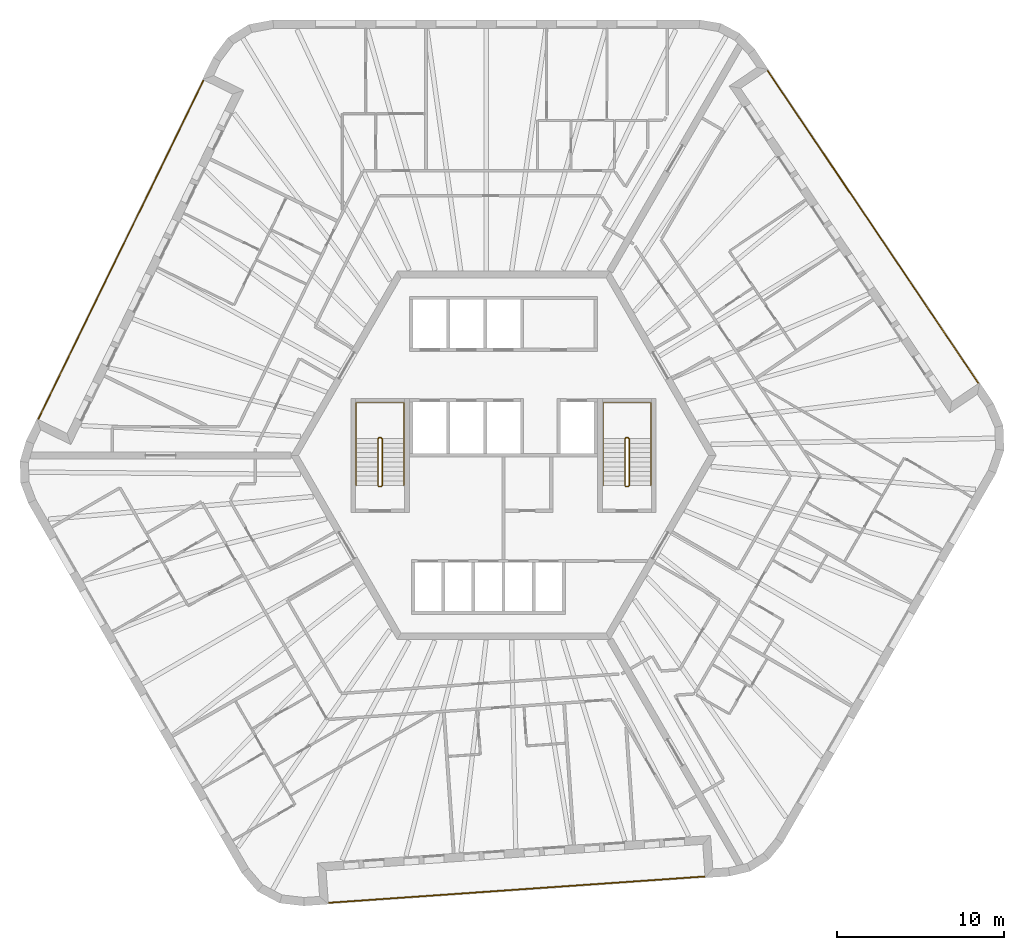
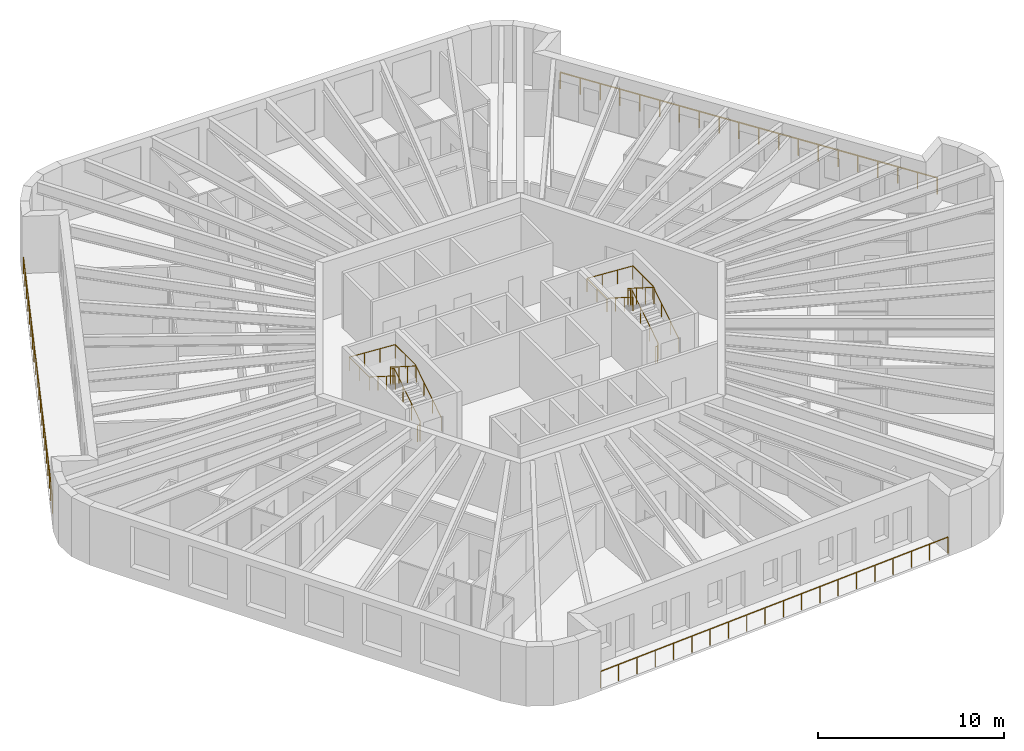
# One storey, part 12 of 12: 7 railings.
"""IFC4 building model written with IfcOpenShell, lengths in metres."""

from ifc_helpers import new_model, si_unit, direction, frame, origin, origin_2d, place, context, subcontext, project, spatial, circle, extrude, material, type_object, element, save


model = new_model("IFC4")

# Units and contexts
model_context = context("Model", 3, precision=1e-05, world=origin(), true_north=direction((0.0, 1.0)))
body_context = subcontext(model_context, "Body", "Model", "MODEL_VIEW")
ifc_project = project(units=[si_unit("LENGTHUNIT", "METRE"), si_unit("AREAUNIT", "SQUARE_METRE"), si_unit("VOLUMEUNIT", "CUBIC_METRE"), si_unit("PLANEANGLEUNIT", "RADIAN"), si_unit("MASSUNIT", "GRAM", prefix="KILO")], contexts=[model_context])

# Site, building, storey
site_placement = place(None, origin())
site = spatial("IfcSite", under=ifc_project, at=site_placement, CompositionType="ELEMENT")
building_placement = place(site_placement, origin())
building = spatial("IfcBuilding", under=site, at=building_placement, Name="Tarnside Tower", CompositionType="ELEMENT")
storey_placement = place(building_placement, frame((0.0, 0.0, 275.699951171875)))
storey = spatial("IfcBuildingStorey", under=building, at=storey_placement, Name="L66", CompositionType="ELEMENT", Elevation=275.699951171875)

# Railings
ifc_material_1 = material(Name="Toughened glass", Category="glass")
railing_type_1 = type_object("IfcRailingType", Name="Glass guard 1100", PredefinedType="GUARDRAIL", material=ifc_material_1)
railing_1_placement = place(storey_placement, frame((-17.906005859375, 22.415283203125, 0.0)))
element("IfcRailing", 1, at=railing_1_placement, inside=storey, type_object=railing_type_1, Name="Loggia guard L66 F2", PredefinedType="GUARDRAIL", context=body_context, shape_type="SweptSolid", body=[
    extrude(circle(Radius=0.030029296875, at=origin_2d()), frame((0.0, 0.0, 1.070068359375), z_axis=(-0.438372639335, -0.898793318335, 0.0), x_axis=(0.898793318335, -0.438372639335, 0.0)), (0.0, 0.0, 1.0), 22.544921875),
    extrude(circle(Radius=0.02490234375, at=origin_2d()), origin(), (0.0, 0.0, 1.0), 1.0400390625),
    extrude(circle(Radius=0.02490234375, at=origin_2d()), frame((-0.520263671875, -1.06640625, 0.0)), (0.0, 0.0, 1.0), 1.0400390625),
    extrude(circle(Radius=0.02490234375, at=origin_2d()), frame((-1.040283203125, -2.133056640625, 0.0)), (0.0, 0.0, 1.0), 1.0400390625),
    extrude(circle(Radius=0.02490234375, at=origin_2d()), frame((-1.560546875, -3.199462890625, 0.0)), (0.0, 0.0, 1.0), 1.0400390625),
    extrude(circle(Radius=0.02490234375, at=origin_2d()), frame((-2.08056640625, -4.265869140625, 0.0)), (0.0, 0.0, 1.0), 1.0400390625),
    extrude(circle(Radius=0.02490234375, at=origin_2d()), frame((-2.600830078125, -5.33251953125, 0.0)), (0.0, 0.0, 1.0), 1.0400390625),
    extrude(circle(Radius=0.02490234375, at=origin_2d()), frame((-3.120849609375, -6.39892578125, 0.0)), (0.0, 0.0, 1.0), 1.0400390625),
    extrude(circle(Radius=0.02490234375, at=origin_2d()), frame((-3.64111328125, -7.46533203125, 0.0)), (0.0, 0.0, 1.0), 1.0400390625),
    extrude(circle(Radius=0.02490234375, at=origin_2d()), frame((-4.161376953125, -8.531982421875, 0.0)), (0.0, 0.0, 1.0), 1.0400390625),
    extrude(circle(Radius=0.02490234375, at=origin_2d()), frame((-4.681396484375, -9.598388671875, 0.0)), (0.0, 0.0, 1.0), 1.0400390625),
    extrude(circle(Radius=0.02490234375, at=origin_2d()), frame((-5.20166015625, -10.664794921875, 0.0)), (0.0, 0.0, 1.0), 1.0400390625),
    extrude(circle(Radius=0.02490234375, at=origin_2d()), frame((-5.7216796875, -11.731201171875, 0.0)), (0.0, 0.0, 1.0), 1.0400390625),
    extrude(circle(Radius=0.02490234375, at=origin_2d()), frame((-6.241943359375, -12.7978515625, 0.0)), (0.0, 0.0, 1.0), 1.0400390625),
    extrude(circle(Radius=0.02490234375, at=origin_2d()), frame((-6.76220703125, -13.8642578125, 0.0)), (0.0, 0.0, 1.0), 1.0400390625),
    extrude(circle(Radius=0.02490234375, at=origin_2d()), frame((-7.2822265625, -14.9306640625, 0.0)), (0.0, 0.0, 1.0), 1.0400390625),
    extrude(circle(Radius=0.02490234375, at=origin_2d()), frame((-7.802490234375, -15.997314453125, 0.0)), (0.0, 0.0, 1.0), 1.0400390625),
    extrude(circle(Radius=0.02490234375, at=origin_2d()), frame((-8.322509765625, -17.063720703125, 0.0)), (0.0, 0.0, 1.0), 1.0400390625),
    extrude(circle(Radius=0.02490234375, at=origin_2d()), frame((-8.8427734375, -18.130126953125, 0.0)), (0.0, 0.0, 1.0), 1.0400390625),
    extrude(circle(Radius=0.02490234375, at=origin_2d()), frame((-9.36279296875, -19.19677734375, 0.0)), (0.0, 0.0, 1.0), 1.0400390625),
    extrude(circle(Radius=0.02490234375, at=origin_2d()), frame((-9.883056640625, -20.26318359375, 0.0)), (0.0, 0.0, 1.0), 1.0400390625),
])
railing_2_placement = place(storey_placement, frame((-10.458984375, -26.714599609375, 0.0)))
element("IfcRailing", 2, at=railing_2_placement, inside=storey, type_object=railing_type_1, Name="Loggia guard L66 F4", PredefinedType="GUARDRAIL", context=body_context, shape_type="SweptSolid", body=[
    extrude(circle(Radius=0.030029296875, at=origin_2d()), frame((0.0, 0.0, 1.070068359375), z_axis=(0.997564440639, 0.069750890837, 0.0), x_axis=(-0.069750890837, 0.997564440639, 0.0)), (0.0, 0.0, 1.0), 22.544677734375),
    extrude(circle(Radius=0.02490234375, at=origin_2d()), origin(), (0.0, 0.0, 1.0), 1.0400390625),
    extrude(circle(Radius=0.02490234375, at=origin_2d()), frame((1.18359375, 0.082763671875, 0.0)), (0.0, 0.0, 1.0), 1.0400390625),
    extrude(circle(Radius=0.02490234375, at=origin_2d()), frame((2.367431640625, 0.16552734375, 0.0)), (0.0, 0.0, 1.0), 1.0400390625),
    extrude(circle(Radius=0.02490234375, at=origin_2d()), frame((3.551025390625, 0.248291015625, 0.0)), (0.0, 0.0, 1.0), 1.0400390625),
    extrude(circle(Radius=0.02490234375, at=origin_2d()), frame((4.734619140625, 0.3310546875, 0.0)), (0.0, 0.0, 1.0), 1.0400390625),
    extrude(circle(Radius=0.02490234375, at=origin_2d()), frame((5.91845703125, 0.413818359375, 0.0)), (0.0, 0.0, 1.0), 1.0400390625),
    extrude(circle(Radius=0.02490234375, at=origin_2d()), frame((7.10205078125, 0.49658203125, 0.0)), (0.0, 0.0, 1.0), 1.0400390625),
    extrude(circle(Radius=0.02490234375, at=origin_2d()), frame((8.28564453125, 0.579345703125, 0.0)), (0.0, 0.0, 1.0), 1.0400390625),
    extrude(circle(Radius=0.02490234375, at=origin_2d()), frame((9.469482421875, 0.662109375, 0.0)), (0.0, 0.0, 1.0), 1.0400390625),
    extrude(circle(Radius=0.02490234375, at=origin_2d()), frame((10.653076171875, 0.744873046875, 0.0)), (0.0, 0.0, 1.0), 1.0400390625),
    extrude(circle(Radius=0.02490234375, at=origin_2d()), frame((11.836669921875, 0.82763671875, 0.0)), (0.0, 0.0, 1.0), 1.0400390625),
    extrude(circle(Radius=0.02490234375, at=origin_2d()), frame((13.020263671875, 0.910400390625, 0.0)), (0.0, 0.0, 1.0), 1.0400390625),
    extrude(circle(Radius=0.02490234375, at=origin_2d()), frame((14.2041015625, 0.9931640625, 0.0)), (0.0, 0.0, 1.0), 1.0400390625),
    extrude(circle(Radius=0.02490234375, at=origin_2d()), frame((15.3876953125, 1.075927734375, 0.0)), (0.0, 0.0, 1.0), 1.0400390625),
    extrude(circle(Radius=0.02490234375, at=origin_2d()), frame((16.5712890625, 1.15869140625, 0.0)), (0.0, 0.0, 1.0), 1.0400390625),
    extrude(circle(Radius=0.02490234375, at=origin_2d()), frame((17.755126953125, 1.241455078125, 0.0)), (0.0, 0.0, 1.0), 1.0400390625),
    extrude(circle(Radius=0.02490234375, at=origin_2d()), frame((18.938720703125, 1.32421875, 0.0)), (0.0, 0.0, 1.0), 1.0400390625),
    extrude(circle(Radius=0.02490234375, at=origin_2d()), frame((20.122314453125, 1.406982421875, 0.0)), (0.0, 0.0, 1.0), 1.0400390625),
    extrude(circle(Radius=0.02490234375, at=origin_2d()), frame((21.30615234375, 1.48974609375, 0.0)), (0.0, 0.0, 1.0), 1.0400390625),
    extrude(circle(Radius=0.02490234375, at=origin_2d()), frame((22.48974609375, 1.572509765625, 0.0)), (0.0, 0.0, 1.0), 1.0400390625),
])
railing_3_placement = place(storey_placement, frame((28.365234375, 4.299560546875, 0.0)))
element("IfcRailing", 3, at=railing_3_placement, inside=storey, type_object=railing_type_1, Name="Loggia guard L66 F6", PredefinedType="GUARDRAIL", context=body_context, shape_type="SweptSolid", body=[
    extrude(circle(Radius=0.030029296875, at=origin_2d()), frame((0.0, 0.0, 1.070068359375), z_axis=(-0.559195329741, 0.82903593601, 0.0), x_axis=(-0.82903593601, -0.559195329741, 0.0)), (0.0, 0.0, 1.0), 22.544677734375),
    extrude(circle(Radius=0.02490234375, at=origin_2d()), origin(), (0.0, 0.0, 1.0), 1.0400390625),
    extrude(circle(Radius=0.02490234375, at=origin_2d()), frame((-0.66357421875, 0.983642578125, 0.0)), (0.0, 0.0, 1.0), 1.0400390625),
    extrude(circle(Radius=0.02490234375, at=origin_2d()), frame((-1.3271484375, 1.967529296875, 0.0)), (0.0, 0.0, 1.0), 1.0400390625),
    extrude(circle(Radius=0.02490234375, at=origin_2d()), frame((-1.990478515625, 2.951171875, 0.0)), (0.0, 0.0, 1.0), 1.0400390625),
    extrude(circle(Radius=0.02490234375, at=origin_2d()), frame((-2.654052734375, 3.934814453125, 0.0)), (0.0, 0.0, 1.0), 1.0400390625),
    extrude(circle(Radius=0.02490234375, at=origin_2d()), frame((-3.317626953125, 4.91845703125, 0.0)), (0.0, 0.0, 1.0), 1.0400390625),
    extrude(circle(Radius=0.02490234375, at=origin_2d()), frame((-3.981201171875, 5.90234375, 0.0)), (0.0, 0.0, 1.0), 1.0400390625),
    extrude(circle(Radius=0.02490234375, at=origin_2d()), frame((-4.644775390625, 6.885986328125, 0.0)), (0.0, 0.0, 1.0), 1.0400390625),
    extrude(circle(Radius=0.02490234375, at=origin_2d()), frame((-5.30810546875, 7.86962890625, 0.0)), (0.0, 0.0, 1.0), 1.0400390625),
    extrude(circle(Radius=0.02490234375, at=origin_2d()), frame((-5.9716796875, 8.853271484375, 0.0)), (0.0, 0.0, 1.0), 1.0400390625),
    extrude(circle(Radius=0.02490234375, at=origin_2d()), frame((-6.63525390625, 9.837158203125, 0.0)), (0.0, 0.0, 1.0), 1.0400390625),
    extrude(circle(Radius=0.02490234375, at=origin_2d()), frame((-7.298828125, 10.82080078125, 0.0)), (0.0, 0.0, 1.0), 1.0400390625),
    extrude(circle(Radius=0.02490234375, at=origin_2d()), frame((-7.962158203125, 11.804443359375, 0.0)), (0.0, 0.0, 1.0), 1.0400390625),
    extrude(circle(Radius=0.02490234375, at=origin_2d()), frame((-8.625732421875, 12.7880859375, 0.0)), (0.0, 0.0, 1.0), 1.0400390625),
    extrude(circle(Radius=0.02490234375, at=origin_2d()), frame((-9.289306640625, 13.77197265625, 0.0)), (0.0, 0.0, 1.0), 1.0400390625),
    extrude(circle(Radius=0.02490234375, at=origin_2d()), frame((-9.952880859375, 14.755615234375, 0.0)), (0.0, 0.0, 1.0), 1.0400390625),
    extrude(circle(Radius=0.02490234375, at=origin_2d()), frame((-10.616455078125, 15.7392578125, 0.0)), (0.0, 0.0, 1.0), 1.0400390625),
    extrude(circle(Radius=0.02490234375, at=origin_2d()), frame((-11.27978515625, 16.722900390625, 0.0)), (0.0, 0.0, 1.0), 1.0400390625),
    extrude(circle(Radius=0.02490234375, at=origin_2d()), frame((-11.943359375, 17.706787109375, 0.0)), (0.0, 0.0, 1.0), 1.0400390625),
    extrude(circle(Radius=0.02490234375, at=origin_2d()), frame((-12.60693359375, 18.6904296875, 0.0)), (0.0, 0.0, 1.0), 1.0400390625),
])
ifc_material_2 = material(Name="Stainless steel", Category="steel")
railing_type_2 = type_object("IfcRailingType", Name="Stair guard 1100", PredefinedType="GUARDRAIL", material=ifc_material_2)
railing_4_placement = place(storey_placement, frame((7.300048828125, -1.85009765625, 0.0)))
element("IfcRailing", 4, at=railing_4_placement, inside=storey, type_object=railing_type_2, Name="L66 ST1 stair guard 1", PredefinedType="GUARDRAIL", context=body_context, shape_type="SweptSolid", body=[
    extrude(circle(Radius=0.02392578125, at=origin_2d()), frame((0.0, 0.0, 1.076171875), z_axis=(1.0, 0.0, 0.0), x_axis=(0.0, 1.0, 0.0)), (0.0, 0.0, 1.0), 0.14990234375),
    extrude(circle(Radius=0.02392578125, at=origin_2d()), frame((0.14990234375, 0.0, 1.076171875), z_axis=(0.262233686654, 0.262233686654, 0.928691007369), x_axis=(-0.707106781187, 0.707106781187, 0.0)), (0.0, 0.0, 1.0), 0.19091796875),
    extrude(circle(Radius=0.02392578125, at=origin_2d()), frame((0.199951171875, 0.050048828125, 1.25341796875), z_axis=(0.0, 0.844908973607, 0.534910110503), x_axis=(-1.0, 0.0, 0.0)), (0.0, 0.0, 1.0), 3.31396484375),
    extrude(circle(Radius=0.02392578125, at=origin_2d()), frame((0.199951171875, 2.85009765625, 3.02587890625), z_axis=(-0.707106781187, 0.707106781187, 0.0), x_axis=(-0.707106781187, -0.707106781187, 0.0)), (0.0, 0.0, 1.0), 0.07080078125),
    extrude(circle(Radius=0.02392578125, at=origin_2d()), frame((0.14990234375, 2.900146484375, 3.02587890625), z_axis=(-1.0, 0.0, 0.0), x_axis=(0.0, -1.0, 0.0)), (0.0, 0.0, 1.0), 0.14990234375),
    extrude(circle(Radius=0.02392578125, at=origin_2d()), frame((0.0, 2.900146484375, 3.02587890625), z_axis=(-0.261922500866, -0.261922500866, 0.928866625022), x_axis=(0.707106781187, -0.707106781187, 0.0)), (0.0, 0.0, 1.0), 0.191162109375),
    extrude(circle(Radius=0.02392578125, at=origin_2d()), frame((-0.050048828125, 2.85009765625, 3.20361328125), z_axis=(0.0, -0.844908973607, 0.534910110503), x_axis=(1.0, 0.0, 0.0)), (0.0, 0.0, 1.0), 3.31396484375),
    extrude(circle(Radius=0.02099609375, at=origin_2d()), origin(), (0.0, 0.0, 1.0), 1.052001953125),
    extrude(circle(Radius=0.02099609375, at=origin_2d()), frame((0.14990234375, 0.0, 0.0)), (0.0, 0.0, 1.0), 1.052001953125),
    extrude(circle(Radius=0.02099609375, at=origin_2d()), frame((0.199951171875, 0.050048828125, 0.17724609375)), (0.0, 0.0, 1.0), 1.052001953125),
    extrude(circle(Radius=0.02099609375, at=origin_2d()), frame((0.199951171875, 0.9833984375, 0.76806640625)), (0.0, 0.0, 1.0), 1.052001953125),
    extrude(circle(Radius=0.02099609375, at=origin_2d()), frame((0.199951171875, 1.916748046875, 1.359130859375)), (0.0, 0.0, 1.0), 1.052001953125),
    extrude(circle(Radius=0.02099609375, at=origin_2d()), frame((0.199951171875, 2.85009765625, 1.949951171875)), (0.0, 0.0, 1.0), 1.052001953125),
    extrude(circle(Radius=0.02099609375, at=origin_2d()), frame((0.14990234375, 2.900146484375, 1.949951171875)), (0.0, 0.0, 1.0), 1.052001953125),
    extrude(circle(Radius=0.02099609375, at=origin_2d()), frame((0.0, 2.900146484375, 1.949951171875)), (0.0, 0.0, 1.0), 1.052001953125),
    extrude(circle(Radius=0.02099609375, at=origin_2d()), frame((-0.050048828125, 2.85009765625, 2.12744140625)), (0.0, 0.0, 1.0), 1.052001953125),
    extrude(circle(Radius=0.02099609375, at=origin_2d()), frame((-0.050048828125, 1.916748046875, 2.71826171875)), (0.0, 0.0, 1.0), 1.052001953125),
    extrude(circle(Radius=0.02099609375, at=origin_2d()), frame((-0.050048828125, 0.9833984375, 3.309326171875)), (0.0, 0.0, 1.0), 1.052001953125),
    extrude(circle(Radius=0.02099609375, at=origin_2d()), frame((-0.050048828125, 0.050048828125, 3.900146484375)), (0.0, 0.0, 1.0), 1.052001953125),
])
railing_5_placement = place(storey_placement, frame((-7.449951171875, -1.85009765625, 0.0)))
element("IfcRailing", 5, at=railing_5_placement, inside=storey, type_object=railing_type_2, Name="L66 ST2 stair guard 1", PredefinedType="GUARDRAIL", context=body_context, shape_type="SweptSolid", body=[
    extrude(circle(Radius=0.02392578125, at=origin_2d()), frame((0.0, 0.0, 1.076171875), z_axis=(1.0, 0.0, 0.0), x_axis=(0.0, 1.0, 0.0)), (0.0, 0.0, 1.0), 0.14990234375),
    extrude(circle(Radius=0.02392578125, at=origin_2d()), frame((0.14990234375, 0.0, 1.076171875), z_axis=(0.262233686654, 0.262233686654, 0.928691007369), x_axis=(-0.707106781187, 0.707106781187, 0.0)), (0.0, 0.0, 1.0), 0.19091796875),
    extrude(circle(Radius=0.02392578125, at=origin_2d()), frame((0.199951171875, 0.050048828125, 1.25341796875), z_axis=(0.0, 0.844908973607, 0.534910110503), x_axis=(-1.0, 0.0, 0.0)), (0.0, 0.0, 1.0), 3.31396484375),
    extrude(circle(Radius=0.02392578125, at=origin_2d()), frame((0.199951171875, 2.85009765625, 3.02587890625), z_axis=(-0.707106781187, 0.707106781187, 0.0), x_axis=(-0.707106781187, -0.707106781187, 0.0)), (0.0, 0.0, 1.0), 0.07080078125),
    extrude(circle(Radius=0.02392578125, at=origin_2d()), frame((0.14990234375, 2.900146484375, 3.02587890625), z_axis=(-1.0, 0.0, 0.0), x_axis=(0.0, -1.0, 0.0)), (0.0, 0.0, 1.0), 0.14990234375),
    extrude(circle(Radius=0.02392578125, at=origin_2d()), frame((0.0, 2.900146484375, 3.02587890625), z_axis=(-0.261922500866, -0.261922500866, 0.928866625022), x_axis=(0.707106781187, -0.707106781187, 0.0)), (0.0, 0.0, 1.0), 0.191162109375),
    extrude(circle(Radius=0.02392578125, at=origin_2d()), frame((-0.050048828125, 2.85009765625, 3.20361328125), z_axis=(0.0, -0.844908973607, 0.534910110503), x_axis=(1.0, 0.0, 0.0)), (0.0, 0.0, 1.0), 3.31396484375),
    extrude(circle(Radius=0.02099609375, at=origin_2d()), origin(), (0.0, 0.0, 1.0), 1.052001953125),
    extrude(circle(Radius=0.02099609375, at=origin_2d()), frame((0.14990234375, 0.0, 0.0)), (0.0, 0.0, 1.0), 1.052001953125),
    extrude(circle(Radius=0.02099609375, at=origin_2d()), frame((0.199951171875, 0.050048828125, 0.17724609375)), (0.0, 0.0, 1.0), 1.052001953125),
    extrude(circle(Radius=0.02099609375, at=origin_2d()), frame((0.199951171875, 0.9833984375, 0.76806640625)), (0.0, 0.0, 1.0), 1.052001953125),
    extrude(circle(Radius=0.02099609375, at=origin_2d()), frame((0.199951171875, 1.916748046875, 1.359130859375)), (0.0, 0.0, 1.0), 1.052001953125),
    extrude(circle(Radius=0.02099609375, at=origin_2d()), frame((0.199951171875, 2.85009765625, 1.949951171875)), (0.0, 0.0, 1.0), 1.052001953125),
    extrude(circle(Radius=0.02099609375, at=origin_2d()), frame((0.14990234375, 2.900146484375, 1.949951171875)), (0.0, 0.0, 1.0), 1.052001953125),
    extrude(circle(Radius=0.02099609375, at=origin_2d()), frame((0.0, 2.900146484375, 1.949951171875)), (0.0, 0.0, 1.0), 1.052001953125),
    extrude(circle(Radius=0.02099609375, at=origin_2d()), frame((-0.050048828125, 2.85009765625, 2.12744140625)), (0.0, 0.0, 1.0), 1.052001953125),
    extrude(circle(Radius=0.02099609375, at=origin_2d()), frame((-0.050048828125, 1.916748046875, 2.71826171875)), (0.0, 0.0, 1.0), 1.052001953125),
    extrude(circle(Radius=0.02099609375, at=origin_2d()), frame((-0.050048828125, 0.9833984375, 3.309326171875)), (0.0, 0.0, 1.0), 1.052001953125),
    extrude(circle(Radius=0.02099609375, at=origin_2d()), frame((-0.050048828125, 0.050048828125, 3.900146484375)), (0.0, 0.0, 1.0), 1.052001953125),
])
railing_type_3 = type_object("IfcRailingType", Name="Stair handrail 900", PredefinedType="HANDRAIL", material=ifc_material_2)
railing_6_placement = place(storey_placement, frame((8.800048828125, -1.800048828125, 0.17724609375)))
element("IfcRailing", 6, at=railing_6_placement, inside=storey, type_object=railing_type_3, Name="L66 ST1 stair handrail 1", PredefinedType="HANDRAIL", context=body_context, shape_type="SweptSolid", body=[
    extrude(circle(Radius=0.02392578125, at=origin_2d()), frame((0.0, 0.0, 0.8857421875), z_axis=(0.0, 0.844908973607, 0.534910110503), x_axis=(-1.0, 0.0, 0.0)), (0.0, 0.0, 1.0), 3.31396484375),
    extrude(circle(Radius=0.02392578125, at=origin_2d()), frame((0.0, 2.800048828125, 2.65869140625), z_axis=(0.0, 1.0, 0.0), x_axis=(-1.0, 0.0, 0.0)), (0.0, 0.0, 1.0), 2.14990234375),
    extrude(circle(Radius=0.02392578125, at=origin_2d()), frame((0.0, 4.949951171875, 2.65869140625), z_axis=(-0.998066525363, 0.0, 0.062154733933), x_axis=(0.0, -1.0, 0.0)), (0.0, 0.0, 1.0), 2.855712890625),
    extrude(circle(Radius=0.02392578125, at=origin_2d()), frame((-2.85009765625, 4.949951171875, 2.8359375), z_axis=(0.0, -1.0, 0.0), x_axis=(1.0, 0.0, 0.0)), (0.0, 0.0, 1.0), 2.14990234375),
    extrude(circle(Radius=0.02392578125, at=origin_2d()), frame((-2.85009765625, 2.800048828125, 2.8359375), z_axis=(0.0, -0.844908973607, 0.534910110503), x_axis=(1.0, 0.0, 0.0)), (0.0, 0.0, 1.0), 3.31396484375),
    extrude(circle(Radius=0.02099609375, at=origin_2d()), origin(), (0.0, 0.0, 1.0), 0.86181640625),
    extrude(circle(Radius=0.02099609375, at=origin_2d()), frame((0.0, 0.933349609375, 0.5908203125)), (0.0, 0.0, 1.0), 0.86181640625),
    extrude(circle(Radius=0.02099609375, at=origin_2d()), frame((0.0, 1.86669921875, 1.181884765625)), (0.0, 0.0, 1.0), 0.86181640625),
    extrude(circle(Radius=0.02099609375, at=origin_2d()), frame((0.0, 2.800048828125, 1.772705078125)), (0.0, 0.0, 1.0), 0.86181640625),
    extrude(circle(Radius=0.02099609375, at=origin_2d()), frame((0.0, 3.875, 1.772705078125)), (0.0, 0.0, 1.0), 0.86181640625),
    extrude(circle(Radius=0.02099609375, at=origin_2d()), frame((0.0, 4.949951171875, 1.772705078125)), (0.0, 0.0, 1.0), 0.86181640625),
    extrude(circle(Radius=0.02099609375, at=origin_2d()), frame((-0.949951171875, 4.949951171875, 1.831787109375)), (0.0, 0.0, 1.0), 0.86181640625),
    extrude(circle(Radius=0.02099609375, at=origin_2d()), frame((-1.900146484375, 4.949951171875, 1.89111328125)), (0.0, 0.0, 1.0), 0.86181640625),
    extrude(circle(Radius=0.02099609375, at=origin_2d()), frame((-2.85009765625, 4.949951171875, 1.9501953125)), (0.0, 0.0, 1.0), 0.86181640625),
    extrude(circle(Radius=0.02099609375, at=origin_2d()), frame((-2.85009765625, 3.875, 1.9501953125)), (0.0, 0.0, 1.0), 0.86181640625),
    extrude(circle(Radius=0.02099609375, at=origin_2d()), frame((-2.85009765625, 2.800048828125, 1.9501953125)), (0.0, 0.0, 1.0), 0.86181640625),
    extrude(circle(Radius=0.02099609375, at=origin_2d()), frame((-2.85009765625, 1.86669921875, 2.541015625)), (0.0, 0.0, 1.0), 0.86181640625),
    extrude(circle(Radius=0.02099609375, at=origin_2d()), frame((-2.85009765625, 0.933349609375, 3.132080078125)), (0.0, 0.0, 1.0), 0.86181640625),
    extrude(circle(Radius=0.02099609375, at=origin_2d()), frame((-2.85009765625, 0.0, 3.722900390625)), (0.0, 0.0, 1.0), 0.86181640625),
])
railing_7_placement = place(storey_placement, frame((-5.949951171875, -1.800048828125, 0.17724609375)))
element("IfcRailing", 7, at=railing_7_placement, inside=storey, type_object=railing_type_3, Name="L66 ST2 stair handrail 1", PredefinedType="HANDRAIL", context=body_context, shape_type="SweptSolid", body=[
    extrude(circle(Radius=0.02392578125, at=origin_2d()), frame((0.0, 0.0, 0.8857421875), z_axis=(0.0, 0.844908973607, 0.534910110503), x_axis=(-1.0, 0.0, 0.0)), (0.0, 0.0, 1.0), 3.31396484375),
    extrude(circle(Radius=0.02392578125, at=origin_2d()), frame((0.0, 2.800048828125, 2.65869140625), z_axis=(0.0, 1.0, 0.0), x_axis=(-1.0, 0.0, 0.0)), (0.0, 0.0, 1.0), 2.14990234375),
    extrude(circle(Radius=0.02392578125, at=origin_2d()), frame((0.0, 4.949951171875, 2.65869140625), z_axis=(-0.998066525363, 0.0, 0.062154733933), x_axis=(0.0, -1.0, 0.0)), (0.0, 0.0, 1.0), 2.855712890625),
    extrude(circle(Radius=0.02392578125, at=origin_2d()), frame((-2.85009765625, 4.949951171875, 2.8359375), z_axis=(0.0, -1.0, 0.0), x_axis=(1.0, 0.0, 0.0)), (0.0, 0.0, 1.0), 2.14990234375),
    extrude(circle(Radius=0.02392578125, at=origin_2d()), frame((-2.85009765625, 2.800048828125, 2.8359375), z_axis=(0.0, -0.844908973607, 0.534910110503), x_axis=(1.0, 0.0, 0.0)), (0.0, 0.0, 1.0), 3.31396484375),
    extrude(circle(Radius=0.02099609375, at=origin_2d()), origin(), (0.0, 0.0, 1.0), 0.86181640625),
    extrude(circle(Radius=0.02099609375, at=origin_2d()), frame((0.0, 0.933349609375, 0.5908203125)), (0.0, 0.0, 1.0), 0.86181640625),
    extrude(circle(Radius=0.02099609375, at=origin_2d()), frame((0.0, 1.86669921875, 1.181884765625)), (0.0, 0.0, 1.0), 0.86181640625),
    extrude(circle(Radius=0.02099609375, at=origin_2d()), frame((0.0, 2.800048828125, 1.772705078125)), (0.0, 0.0, 1.0), 0.86181640625),
    extrude(circle(Radius=0.02099609375, at=origin_2d()), frame((0.0, 3.875, 1.772705078125)), (0.0, 0.0, 1.0), 0.86181640625),
    extrude(circle(Radius=0.02099609375, at=origin_2d()), frame((0.0, 4.949951171875, 1.772705078125)), (0.0, 0.0, 1.0), 0.86181640625),
    extrude(circle(Radius=0.02099609375, at=origin_2d()), frame((-0.949951171875, 4.949951171875, 1.831787109375)), (0.0, 0.0, 1.0), 0.86181640625),
    extrude(circle(Radius=0.02099609375, at=origin_2d()), frame((-1.900146484375, 4.949951171875, 1.89111328125)), (0.0, 0.0, 1.0), 0.86181640625),
    extrude(circle(Radius=0.02099609375, at=origin_2d()), frame((-2.85009765625, 4.949951171875, 1.9501953125)), (0.0, 0.0, 1.0), 0.86181640625),
    extrude(circle(Radius=0.02099609375, at=origin_2d()), frame((-2.85009765625, 3.875, 1.9501953125)), (0.0, 0.0, 1.0), 0.86181640625),
    extrude(circle(Radius=0.02099609375, at=origin_2d()), frame((-2.85009765625, 2.800048828125, 1.9501953125)), (0.0, 0.0, 1.0), 0.86181640625),
    extrude(circle(Radius=0.02099609375, at=origin_2d()), frame((-2.85009765625, 1.86669921875, 2.541015625)), (0.0, 0.0, 1.0), 0.86181640625),
    extrude(circle(Radius=0.02099609375, at=origin_2d()), frame((-2.85009765625, 0.933349609375, 3.132080078125)), (0.0, 0.0, 1.0), 0.86181640625),
    extrude(circle(Radius=0.02099609375, at=origin_2d()), frame((-2.85009765625, 0.0, 3.722900390625)), (0.0, 0.0, 1.0), 0.86181640625),
])

save(model, "model.ifc")
